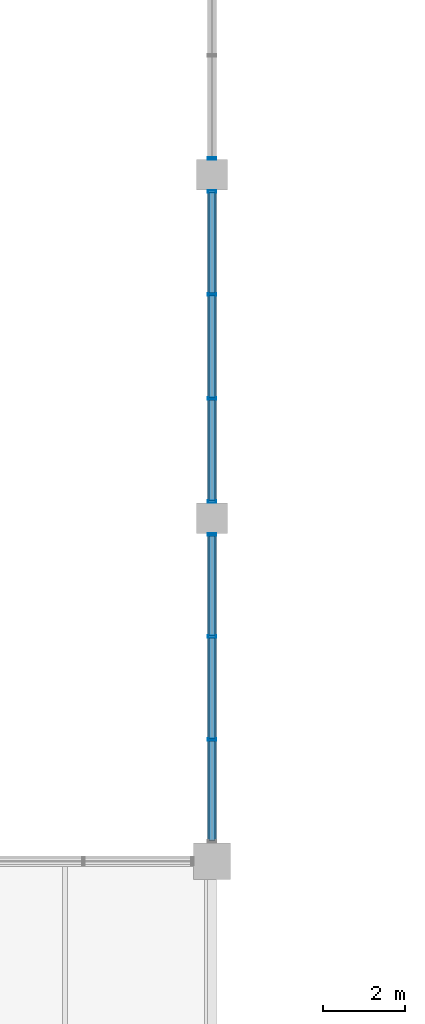
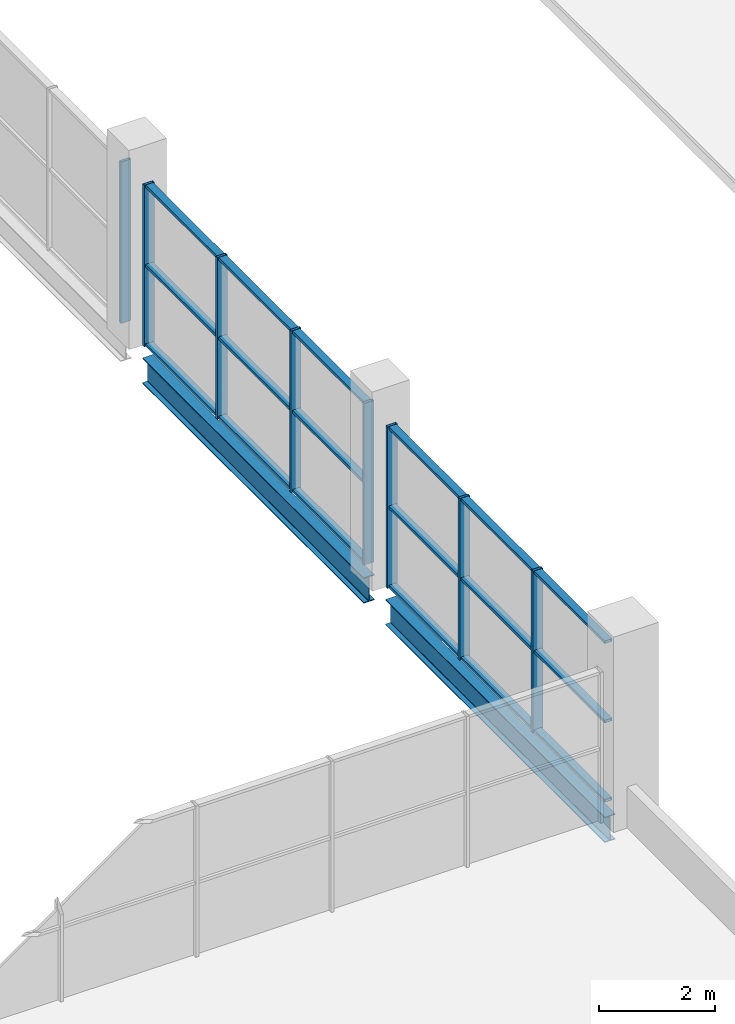
# One storey, part 29 of 93: 26 members, 2 beams, 3 elements without a shape of their own.
"""IFC4 building model written with IfcOpenShell, lengths in metres."""

from ifc_helpers import new_model, si_unit, direction, frame, origin, origin_2d, place, context, subcontext, project, spatial, hollow_rectangle, i_section, extrude, material, material_profile, profile_set, type_object, element, aggregate, save


model = new_model("IFC4")

# Units and contexts
model_context = context("Model", 3, precision=1e-05, world=origin(), true_north=direction((0.0, 1.0)))
body_context = subcontext(model_context, "Body", "Model", "MODEL_VIEW")
ifc_project = project(units=[si_unit("LENGTHUNIT", "METRE"), si_unit("AREAUNIT", "SQUARE_METRE"), si_unit("VOLUMEUNIT", "CUBIC_METRE"), si_unit("PLANEANGLEUNIT", "RADIAN"), si_unit("MASSUNIT", "GRAM", prefix="KILO"), si_unit("THERMODYNAMICTEMPERATUREUNIT", "KELVIN")], contexts=[model_context])

# Site, building, storey
site_placement = place(None, origin())
site = spatial("IfcSite", under=ifc_project, at=site_placement, CompositionType="ELEMENT")
building_placement = place(site_placement, origin())
building = spatial("IfcBuilding", under=site, at=building_placement, Name="Nduvali Passage Aquatics Centre", CompositionType="ELEMENT")
storey_placement = place(building_placement, frame((0.0, 0.0, 9.0)))
storey = spatial("IfcBuildingStorey", under=building, at=storey_placement, Name="L02", CompositionType="ELEMENT", Elevation=9.0)

# Curtain wall, members
ifc_material_1 = material(Name="Aluminium EN AW-6063 T6", Category="aluminium")
curtain_wall_type = type_object("IfcCurtainWallType", Name="ENV-CW-CLER", PredefinedType="NOTDEFINED", material=ifc_material_1)
curtain_wall_1_placement = place(storey_placement, origin())
curtain_wall_1 = element("IfcCurtainWall", 1, at=curtain_wall_1_placement, inside=storey, type_object=curtain_wall_type, Name="L02 East Passage Pool Hall Mid Clerestory 016", PredefinedType="NOTDEFINED")
ifc_material_profile_1 = material_profile(ifc_material_1, hollow_rectangle(XDim=0.06005859375, YDim=0.199951171875, WallThickness=0.00390625, at=origin_2d()), Name="ALU MULLION 60x200x4")
ifc_profile_set_1 = profile_set([ifc_material_profile_1], Name="Aluminium EN AW-6063 T6")
member_type_1 = type_object("IfcMemberType", Name="ENV-MEM-MUL80", PredefinedType="MULLION", material=ifc_profile_set_1)
member_1_placement = place(storey_placement, frame((126.0, 28.175048828125, 0.0), z_axis=(0.0, 0.0, 1.0), x_axis=(0.0, 1.0, 0.0)))
member_1 = element("IfcMember", 2, at=member_1_placement, type_object=member_type_1, Name="East Passage Pool Hall Mid Clerestory Mullion 2", PredefinedType="MULLION", context=body_context, shape_type="SweptSolid", body=[
    extrude(hollow_rectangle(XDim=0.06005859375, YDim=0.199951171875, WallThickness=0.00390625, at=origin_2d()), origin(), (0.0, 0.0, 1.0), 3.406494140625),
])
member_2_placement = place(storey_placement, frame((126.0, 30.699951171875, 0.0), z_axis=(0.0, 0.0, 1.0), x_axis=(0.0, 1.0, 0.0)))
member_2 = element("IfcMember", 3, at=member_2_placement, type_object=member_type_1, Name="East Passage Pool Hall Mid Clerestory Mullion 3", PredefinedType="MULLION", context=body_context, shape_type="SweptSolid", body=[
    extrude(hollow_rectangle(XDim=0.06005859375, YDim=0.199951171875, WallThickness=0.00390625, at=origin_2d()), origin(), (0.0, 0.0, 1.0), 3.406494140625),
])
member_3_placement = place(storey_placement, frame((126.0, 33.195068359375, 0.0), z_axis=(0.0, 0.0, 1.0), x_axis=(0.0, 1.0, 0.0)))
member_3 = element("IfcMember", 4, at=member_3_placement, type_object=member_type_1, Name="East Passage Pool Hall Mid Clerestory Mullion 4", PredefinedType="MULLION", context=body_context, shape_type="SweptSolid", body=[
    extrude(hollow_rectangle(XDim=0.06005859375, YDim=0.199951171875, WallThickness=0.00390625, at=origin_2d()), origin(), (0.0, 0.0, 1.0), 3.406494140625),
])

curtain_wall_2_placement = place(storey_placement, origin())
curtain_wall_2 = element("IfcCurtainWall", 5, at=curtain_wall_2_placement, inside=storey, type_object=curtain_wall_type, Name="L02 East Passage Pool Hall Mid Clerestory 020", PredefinedType="NOTDEFINED")
member_4_placement = place(storey_placement, frame((126.0, 34.0048828125, 0.0), z_axis=(0.0, 0.0, 1.0), x_axis=(0.0, 1.0, 0.0)))
member_4 = element("IfcMember", 6, at=member_4_placement, type_object=member_type_1, Name="East Passage Pool Hall Mid Clerestory Mullion 1", PredefinedType="MULLION", context=body_context, shape_type="SweptSolid", body=[
    extrude(hollow_rectangle(XDim=0.06005859375, YDim=0.199951171875, WallThickness=0.00390625, at=origin_2d()), origin(), (0.0, 0.0, 1.0), 3.406494140625),
])
member_5_placement = place(storey_placement, frame((126.0, 36.52490234375, 0.0), z_axis=(0.0, 0.0, 1.0), x_axis=(0.0, 1.0, 0.0)))
member_5 = element("IfcMember", 7, at=member_5_placement, type_object=member_type_1, Name="East Passage Pool Hall Mid Clerestory Mullion 2", PredefinedType="MULLION", context=body_context, shape_type="SweptSolid", body=[
    extrude(hollow_rectangle(XDim=0.06005859375, YDim=0.199951171875, WallThickness=0.00390625, at=origin_2d()), origin(), (0.0, 0.0, 1.0), 3.406494140625),
])
member_6_placement = place(storey_placement, frame((126.0, 39.074951171875, 0.0), z_axis=(0.0, 0.0, 1.0), x_axis=(0.0, 1.0, 0.0)))
member_6 = element("IfcMember", 8, at=member_6_placement, type_object=member_type_1, Name="East Passage Pool Hall Mid Clerestory Mullion 3", PredefinedType="MULLION", context=body_context, shape_type="SweptSolid", body=[
    extrude(hollow_rectangle(XDim=0.06005859375, YDim=0.199951171875, WallThickness=0.00390625, at=origin_2d()), origin(), (0.0, 0.0, 1.0), 3.406494140625),
])
member_7_placement = place(storey_placement, frame((126.0, 41.594970703125, 0.0), z_axis=(0.0, 0.0, 1.0), x_axis=(0.0, 1.0, 0.0)))
member_7 = element("IfcMember", 9, at=member_7_placement, type_object=member_type_1, Name="East Passage Pool Hall Mid Clerestory Mullion 4", PredefinedType="MULLION", context=body_context, shape_type="SweptSolid", body=[
    extrude(hollow_rectangle(XDim=0.06005859375, YDim=0.199951171875, WallThickness=0.00390625, at=origin_2d()), origin(), (0.0, 0.0, 1.0), 3.406494140625),
])

# Curtain wall, member
curtain_wall_3_placement = place(storey_placement, origin())
curtain_wall_3 = element("IfcCurtainWall", 10, at=curtain_wall_3_placement, inside=storey, type_object=curtain_wall_type, Name="L02 East Passage Pool Hall Mid Clerestory 024", PredefinedType="NOTDEFINED")
member_8_placement = place(storey_placement, frame((126.0, 42.405029296875, 0.0), z_axis=(0.0, 0.0, 1.0), x_axis=(0.0, 1.0, 0.0)))
member_8 = element("IfcMember", 11, at=member_8_placement, type_object=member_type_1, Name="East Passage Pool Hall Mid Clerestory Mullion 1", PredefinedType="MULLION", context=body_context, shape_type="SweptSolid", body=[
    extrude(hollow_rectangle(XDim=0.06005859375, YDim=0.199951171875, WallThickness=0.00390625, at=origin_2d()), origin(), (0.0, 0.0, 1.0), 3.406494140625),
])
aggregate(curtain_wall_3, [member_8])

# Member
ifc_material_profile_2 = material_profile(ifc_material_1, hollow_rectangle(XDim=0.14990234375, YDim=0.06005859375, WallThickness=0.00390625, at=origin_2d()), Name="ALU TRANSOM 150x60x4")
ifc_profile_set_2 = profile_set([ifc_material_profile_2], Name="Aluminium EN AW-6063 T6")
member_type_2 = type_object("IfcMemberType", Name="ENV-MEM-TRN80", PredefinedType="USERDEFINED", material=ifc_profile_set_2)
member_9_placement = place(storey_placement, frame((126.0, 25.7099609375, 0.030029296875), z_axis=(0.0, 1.0, 0.0), x_axis=(-1.0, 0.0, 0.0)))
member_9 = element("IfcMember", 12, at=member_9_placement, type_object=member_type_2, Name="East Passage Pool Hall Mid Clerestory Transom B1-R0", ObjectType="TRANSOM", PredefinedType="USERDEFINED", context=body_context, shape_type="SweptSolid", body=[
    extrude(hollow_rectangle(XDim=0.14990234375, YDim=0.06005859375, WallThickness=0.00390625, at=origin_2d()), origin(), (0.0, 0.0, 1.0), 2.43505859375),
])

member_10_placement = place(storey_placement, frame((126.0, 25.7099609375, 1.703125), z_axis=(0.0, 1.0, 0.0), x_axis=(-1.0, 0.0, 0.0)))
member_10 = element("IfcMember", 13, at=member_10_placement, type_object=member_type_2, Name="East Passage Pool Hall Mid Clerestory Transom B1-R1", ObjectType="TRANSOM", PredefinedType="USERDEFINED", context=body_context, shape_type="SweptSolid", body=[
    extrude(hollow_rectangle(XDim=0.14990234375, YDim=0.06005859375, WallThickness=0.00390625, at=origin_2d()), origin(), (0.0, 0.0, 1.0), 2.43505859375),
])

member_11_placement = place(storey_placement, frame((126.0, 25.7099609375, 3.37646484375), z_axis=(0.0, 1.0, 0.0), x_axis=(-1.0, 0.0, 0.0)))
member_11 = element("IfcMember", 14, at=member_11_placement, type_object=member_type_2, Name="East Passage Pool Hall Mid Clerestory Transom B1-R2", ObjectType="TRANSOM", PredefinedType="USERDEFINED", context=body_context, shape_type="SweptSolid", body=[
    extrude(hollow_rectangle(XDim=0.14990234375, YDim=0.06005859375, WallThickness=0.00390625, at=origin_2d()), origin(), (0.0, 0.0, 1.0), 2.43505859375),
])

member_12_placement = place(storey_placement, frame((126.0, 28.205078125, 0.030029296875), z_axis=(0.0, 1.0, 0.0), x_axis=(-1.0, 0.0, 0.0)))
member_12 = element("IfcMember", 15, at=member_12_placement, type_object=member_type_2, Name="East Passage Pool Hall Mid Clerestory Transom B2-R0", ObjectType="TRANSOM", PredefinedType="USERDEFINED", context=body_context, shape_type="SweptSolid", body=[
    extrude(hollow_rectangle(XDim=0.14990234375, YDim=0.06005859375, WallThickness=0.00390625, at=origin_2d()), origin(), (0.0, 0.0, 1.0), 2.46484375),
])

member_13_placement = place(storey_placement, frame((126.0, 28.205078125, 1.703125), z_axis=(0.0, 1.0, 0.0), x_axis=(-1.0, 0.0, 0.0)))
member_13 = element("IfcMember", 16, at=member_13_placement, type_object=member_type_2, Name="East Passage Pool Hall Mid Clerestory Transom B2-R1", ObjectType="TRANSOM", PredefinedType="USERDEFINED", context=body_context, shape_type="SweptSolid", body=[
    extrude(hollow_rectangle(XDim=0.14990234375, YDim=0.06005859375, WallThickness=0.00390625, at=origin_2d()), origin(), (0.0, 0.0, 1.0), 2.46484375),
])

member_14_placement = place(storey_placement, frame((126.0, 28.205078125, 3.37646484375), z_axis=(0.0, 1.0, 0.0), x_axis=(-1.0, 0.0, 0.0)))
member_14 = element("IfcMember", 17, at=member_14_placement, type_object=member_type_2, Name="East Passage Pool Hall Mid Clerestory Transom B2-R2", ObjectType="TRANSOM", PredefinedType="USERDEFINED", context=body_context, shape_type="SweptSolid", body=[
    extrude(hollow_rectangle(XDim=0.14990234375, YDim=0.06005859375, WallThickness=0.00390625, at=origin_2d()), origin(), (0.0, 0.0, 1.0), 2.46484375),
])

member_15_placement = place(storey_placement, frame((126.0, 30.72998046875, 0.030029296875), z_axis=(0.0, 1.0, 0.0), x_axis=(-1.0, 0.0, 0.0)))
member_15 = element("IfcMember", 18, at=member_15_placement, type_object=member_type_2, Name="East Passage Pool Hall Mid Clerestory Transom B3-R0", ObjectType="TRANSOM", PredefinedType="USERDEFINED", context=body_context, shape_type="SweptSolid", body=[
    extrude(hollow_rectangle(XDim=0.14990234375, YDim=0.06005859375, WallThickness=0.00390625, at=origin_2d()), origin(), (0.0, 0.0, 1.0), 2.43505859375),
])

member_16_placement = place(storey_placement, frame((126.0, 30.72998046875, 1.703125), z_axis=(0.0, 1.0, 0.0), x_axis=(-1.0, 0.0, 0.0)))
member_16 = element("IfcMember", 19, at=member_16_placement, type_object=member_type_2, Name="East Passage Pool Hall Mid Clerestory Transom B3-R1", ObjectType="TRANSOM", PredefinedType="USERDEFINED", context=body_context, shape_type="SweptSolid", body=[
    extrude(hollow_rectangle(XDim=0.14990234375, YDim=0.06005859375, WallThickness=0.00390625, at=origin_2d()), origin(), (0.0, 0.0, 1.0), 2.43505859375),
])

member_17_placement = place(storey_placement, frame((126.0, 30.72998046875, 3.37646484375), z_axis=(0.0, 1.0, 0.0), x_axis=(-1.0, 0.0, 0.0)))
member_17 = element("IfcMember", 20, at=member_17_placement, type_object=member_type_2, Name="East Passage Pool Hall Mid Clerestory Transom B3-R2", ObjectType="TRANSOM", PredefinedType="USERDEFINED", context=body_context, shape_type="SweptSolid", body=[
    extrude(hollow_rectangle(XDim=0.14990234375, YDim=0.06005859375, WallThickness=0.00390625, at=origin_2d()), origin(), (0.0, 0.0, 1.0), 2.43505859375),
])

aggregate(curtain_wall_1, [member_1, member_2, member_3, member_9, member_10, member_11, member_12, member_13, member_14, member_15, member_16, member_17])

member_18_placement = place(storey_placement, frame((126.0, 34.034912109375, 0.030029296875), z_axis=(0.0, 1.0, 0.0), x_axis=(-1.0, 0.0, 0.0)))
member_18 = element("IfcMember", 21, at=member_18_placement, type_object=member_type_2, Name="East Passage Pool Hall Mid Clerestory Transom B1-R0", ObjectType="TRANSOM", PredefinedType="USERDEFINED", context=body_context, shape_type="SweptSolid", body=[
    extrude(hollow_rectangle(XDim=0.14990234375, YDim=0.06005859375, WallThickness=0.00390625, at=origin_2d()), origin(), (0.0, 0.0, 1.0), 2.460205078125),
])

member_19_placement = place(storey_placement, frame((126.0, 34.034912109375, 1.703125), z_axis=(0.0, 1.0, 0.0), x_axis=(-1.0, 0.0, 0.0)))
member_19 = element("IfcMember", 22, at=member_19_placement, type_object=member_type_2, Name="East Passage Pool Hall Mid Clerestory Transom B1-R1", ObjectType="TRANSOM", PredefinedType="USERDEFINED", context=body_context, shape_type="SweptSolid", body=[
    extrude(hollow_rectangle(XDim=0.14990234375, YDim=0.06005859375, WallThickness=0.00390625, at=origin_2d()), origin(), (0.0, 0.0, 1.0), 2.460205078125),
])

member_20_placement = place(storey_placement, frame((126.0, 34.034912109375, 3.37646484375), z_axis=(0.0, 1.0, 0.0), x_axis=(-1.0, 0.0, 0.0)))
member_20 = element("IfcMember", 23, at=member_20_placement, type_object=member_type_2, Name="East Passage Pool Hall Mid Clerestory Transom B1-R2", ObjectType="TRANSOM", PredefinedType="USERDEFINED", context=body_context, shape_type="SweptSolid", body=[
    extrude(hollow_rectangle(XDim=0.14990234375, YDim=0.06005859375, WallThickness=0.00390625, at=origin_2d()), origin(), (0.0, 0.0, 1.0), 2.460205078125),
])

member_21_placement = place(storey_placement, frame((126.0, 36.554931640625, 0.030029296875), z_axis=(0.0, 1.0, 0.0), x_axis=(-1.0, 0.0, 0.0)))
member_21 = element("IfcMember", 24, at=member_21_placement, type_object=member_type_2, Name="East Passage Pool Hall Mid Clerestory Transom B2-R0", ObjectType="TRANSOM", PredefinedType="USERDEFINED", context=body_context, shape_type="SweptSolid", body=[
    extrude(hollow_rectangle(XDim=0.14990234375, YDim=0.06005859375, WallThickness=0.00390625, at=origin_2d()), origin(), (0.0, 0.0, 1.0), 2.489990234375),
])

member_22_placement = place(storey_placement, frame((126.0, 36.554931640625, 1.703125), z_axis=(0.0, 1.0, 0.0), x_axis=(-1.0, 0.0, 0.0)))
member_22 = element("IfcMember", 25, at=member_22_placement, type_object=member_type_2, Name="East Passage Pool Hall Mid Clerestory Transom B2-R1", ObjectType="TRANSOM", PredefinedType="USERDEFINED", context=body_context, shape_type="SweptSolid", body=[
    extrude(hollow_rectangle(XDim=0.14990234375, YDim=0.06005859375, WallThickness=0.00390625, at=origin_2d()), origin(), (0.0, 0.0, 1.0), 2.489990234375),
])

member_23_placement = place(storey_placement, frame((126.0, 36.554931640625, 3.37646484375), z_axis=(0.0, 1.0, 0.0), x_axis=(-1.0, 0.0, 0.0)))
member_23 = element("IfcMember", 26, at=member_23_placement, type_object=member_type_2, Name="East Passage Pool Hall Mid Clerestory Transom B2-R2", ObjectType="TRANSOM", PredefinedType="USERDEFINED", context=body_context, shape_type="SweptSolid", body=[
    extrude(hollow_rectangle(XDim=0.14990234375, YDim=0.06005859375, WallThickness=0.00390625, at=origin_2d()), origin(), (0.0, 0.0, 1.0), 2.489990234375),
])

member_24_placement = place(storey_placement, frame((126.0, 39.10498046875, 0.030029296875), z_axis=(0.0, 1.0, 0.0), x_axis=(-1.0, 0.0, 0.0)))
member_24 = element("IfcMember", 27, at=member_24_placement, type_object=member_type_2, Name="East Passage Pool Hall Mid Clerestory Transom B3-R0", ObjectType="TRANSOM", PredefinedType="USERDEFINED", context=body_context, shape_type="SweptSolid", body=[
    extrude(hollow_rectangle(XDim=0.14990234375, YDim=0.06005859375, WallThickness=0.00390625, at=origin_2d()), origin(), (0.0, 0.0, 1.0), 2.4599609375),
])

member_25_placement = place(storey_placement, frame((126.0, 39.10498046875, 1.703125), z_axis=(0.0, 1.0, 0.0), x_axis=(-1.0, 0.0, 0.0)))
member_25 = element("IfcMember", 28, at=member_25_placement, type_object=member_type_2, Name="East Passage Pool Hall Mid Clerestory Transom B3-R1", ObjectType="TRANSOM", PredefinedType="USERDEFINED", context=body_context, shape_type="SweptSolid", body=[
    extrude(hollow_rectangle(XDim=0.14990234375, YDim=0.06005859375, WallThickness=0.00390625, at=origin_2d()), origin(), (0.0, 0.0, 1.0), 2.4599609375),
])

member_26_placement = place(storey_placement, frame((126.0, 39.10498046875, 3.37646484375), z_axis=(0.0, 1.0, 0.0), x_axis=(-1.0, 0.0, 0.0)))
member_26 = element("IfcMember", 29, at=member_26_placement, type_object=member_type_2, Name="East Passage Pool Hall Mid Clerestory Transom B3-R2", ObjectType="TRANSOM", PredefinedType="USERDEFINED", context=body_context, shape_type="SweptSolid", body=[
    extrude(hollow_rectangle(XDim=0.14990234375, YDim=0.06005859375, WallThickness=0.00390625, at=origin_2d()), origin(), (0.0, 0.0, 1.0), 2.4599609375),
])

aggregate(curtain_wall_2, [member_4, member_5, member_6, member_7, member_18, member_19, member_20, member_21, member_22, member_23, member_24, member_25, member_26])

# Beams
ifc_material_2 = material(Name="Steel S355", Category="steel")
ifc_material_profile_3 = material_profile(ifc_material_2, i_section(OverallWidth=0.210693359375, OverallDepth=0.53955078125, WebThickness=0.01171875, FlangeThickness=0.018798828125, FilletRadius=0.0126953125, at=origin_2d()), Name="UKB 533x210x109")
ifc_profile_set_3 = profile_set([ifc_material_profile_3], Name="Steel S355")
beam_type = type_object("IfcBeamType", Name="STR-BM-UKB533-EXT", PredefinedType="BEAM", material=ifc_profile_set_3)
beam_1_placement = place(storey_placement, frame((126.0, 25.64990234375, -0.53369140625), z_axis=(0.0, 1.0, 0.0), x_axis=(-1.0, 0.0, 0.0)))
element("IfcBeam", 30, at=beam_1_placement, inside=storey, type_object=beam_type, Name="L02 Primary Y-Girder B6E-1010", PredefinedType="BEAM", context=body_context, shape_type="SweptSolid", body=[
    extrude(i_section(OverallWidth=0.210693359375, OverallDepth=0.53955078125, WebThickness=0.01171875, FlangeThickness=0.018798828125, FilletRadius=0.0126953125, at=origin_2d()), origin(), (0.0, 0.0, 1.0), 7.5751953125),
])
beam_2_placement = place(storey_placement, frame((126.0, 33.97509765625, -0.53369140625), z_axis=(0.0, 1.0, 0.0), x_axis=(-1.0, 0.0, 0.0)))
element("IfcBeam", 31, at=beam_2_placement, inside=storey, type_object=beam_type, Name="L02 Primary Y-Girder B6E-1011", PredefinedType="BEAM", context=body_context, shape_type="SweptSolid", body=[
    extrude(i_section(OverallWidth=0.210693359375, OverallDepth=0.53955078125, WebThickness=0.01171875, FlangeThickness=0.018798828125, FilletRadius=0.0126953125, at=origin_2d()), origin(), (0.0, 0.0, 1.0), 7.64990234375),
])

save(model, "model.ifc")
